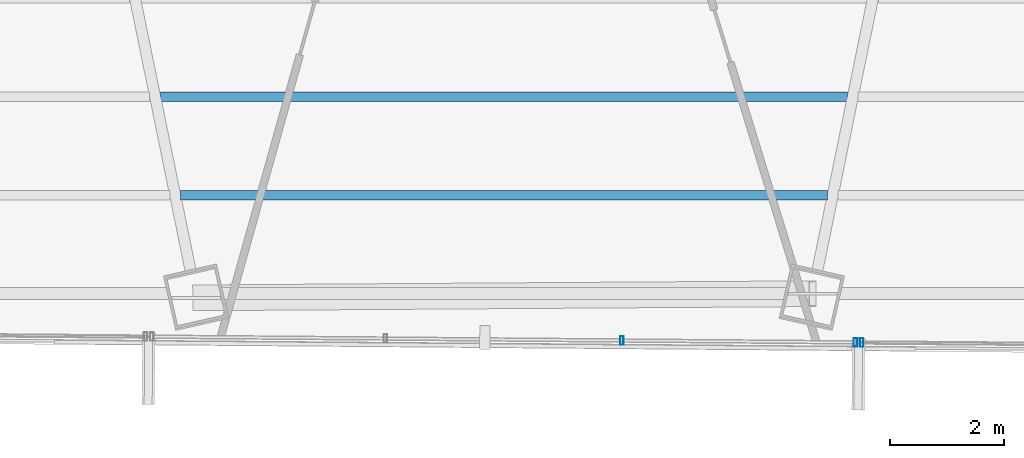
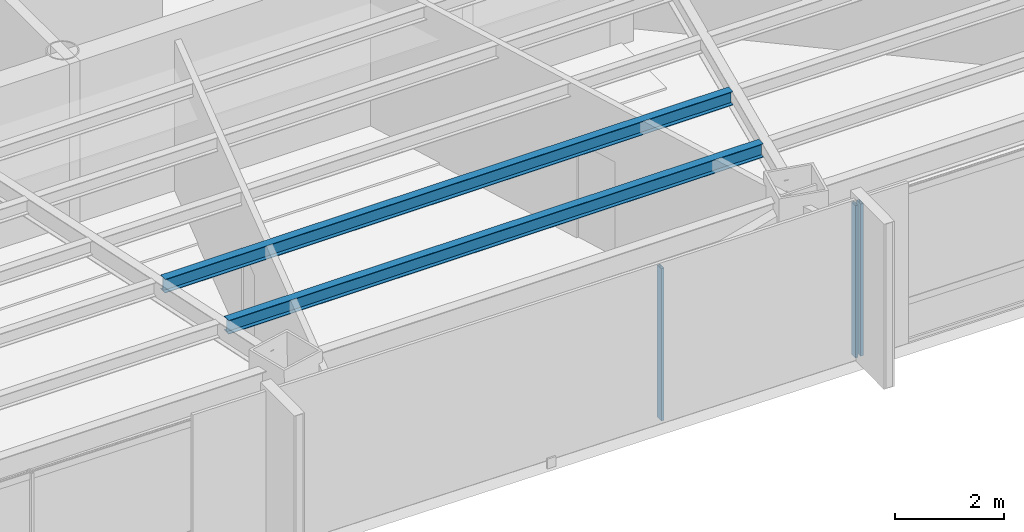
# One storey, part 10 of 39: 3 members, 2 beams, 2 elements without a shape of their own.
"""IFC4 building model written with IfcOpenShell, lengths in metres."""

from ifc_helpers import new_model, si_unit, direction, frame, origin, origin_2d, place, context, subcontext, project, spatial, hollow_rectangle, i_section, extrude, source, transform, mapped, material, material_profile, profile_set, type_object, type_shapes, element, aggregate, save


model = new_model("IFC4")

# Units and contexts
model_context = context("Model", 3, precision=1e-05, world=origin(), true_north=direction((0.0, 1.0)))
body_context = subcontext(model_context, "Body", "Model", "MODEL_VIEW")
ifc_project = project(units=[si_unit("LENGTHUNIT", "METRE"), si_unit("AREAUNIT", "SQUARE_METRE"), si_unit("VOLUMEUNIT", "CUBIC_METRE"), si_unit("PLANEANGLEUNIT", "RADIAN"), si_unit("MASSUNIT", "GRAM", prefix="KILO")], contexts=[model_context])

# Site, building, storey
site_placement = place(None, origin())
site = spatial("IfcSite", under=ifc_project, at=site_placement, CompositionType="ELEMENT")
building_placement = place(site_placement, origin())
building = spatial("IfcBuilding", under=site, at=building_placement, Name="Caelisora Broadcast Tower", CompositionType="ELEMENT")
storey_placement = place(building_placement, frame((0.0, 0.0, 139.10009765625)))
storey = spatial("IfcBuildingStorey", under=building, at=storey_placement, Name="L36", CompositionType="ELEMENT", Elevation=139.10009765625)

# Beams
ifc_material_1 = material(Name="Steel Grade 350 (AS/NZS 3679.1)", Category="steel")
ifc_material_profile_1 = material_profile(ifc_material_1, i_section(OverallWidth=0.166015625, OverallDepth=0.30712890625, WebThickness=0.006591796875, FlangeThickness=0.01171875, at=origin_2d()), Name="Steel Grade 350 (AS/NZS 3679.1)")
ifc_profile_set_1 = profile_set([ifc_material_profile_1], Name="Steel Grade 350 (AS/NZS 3679.1)")
beam_type = type_object("IfcBeamType", Name="SB03", PredefinedType="JOIST", material=ifc_profile_set_1)
shared_shape_1 = source(origin(), body_context, "Body", "SweptSolid", [
    extrude(i_section(OverallWidth=0.166015625, OverallDepth=0.30712890625, WebThickness=0.006591796875, FlangeThickness=0.01171875, at=origin_2d()), origin(), (0.0, 0.0, 1.0), 12.00341796875),
])
beam_1_placement = place(storey_placement, frame((31.998291015625, 10.5205078125, 3.246337890625), z_axis=(1.0, 0.0, 0.0), x_axis=(0.0, 1.0, 0.0)))
element("IfcBeam", 1, at=beam_1_placement, inside=storey, type_object=beam_type, Name="L36 beam SB03", PredefinedType="JOIST", context=body_context, shape_type="MappedRepresentation", body=[
    mapped(shared_shape_1, transform((0.0, 0.0, 0.0), scale=1.0)),
])
shared_shape_2 = source(origin(), body_context, "Body", "SweptSolid", [
    extrude(i_section(OverallWidth=0.166015625, OverallDepth=0.30712890625, WebThickness=0.006591796875, FlangeThickness=0.01171875, at=origin_2d()), origin(), (0.0, 0.0, 1.0), 11.3017578125),
])
type_shapes(beam_type, [shared_shape_1, shared_shape_2])
beam_2_placement = place(storey_placement, frame((32.34912109375, 8.80078125, 3.246337890625), z_axis=(1.0, 0.0, 0.0), x_axis=(0.0, 1.0, 0.0)))
element("IfcBeam", 2, at=beam_2_placement, inside=storey, type_object=beam_type, Name="L36 beam SB03", PredefinedType="JOIST", context=body_context, shape_type="MappedRepresentation", body=[
    mapped(shared_shape_2, transform((0.0, 0.0, 0.0), scale=1.0)),
])

# Curtain wall, member
ifc_material_2 = material(Name="Unitised Aluminium and Low-E Glass Curtain Wall", Category="glass")
curtain_wall_type_1 = type_object("IfcCurtainWallType", Name="CW-Z3", PredefinedType="NOTDEFINED", material=ifc_material_2)
curtain_wall_1_placement = place(storey_placement, origin())
curtain_wall_1 = element("IfcCurtainWall", 3, at=curtain_wall_1_placement, inside=storey, type_object=curtain_wall_type_1, Name="L36 curtain wall CW-Z3", PredefinedType="NOTDEFINED")
ifc_material_3 = material(Name="Aluminium 6063-T6 Anodised Terracotta Bronze", Category="aluminium")
ifc_material_profile_2 = material_profile(ifc_material_3, hollow_rectangle(XDim=0.06005859375, YDim=0.14990234375, WallThickness=0.00341796875, at=origin_2d()), Name="Aluminium 6063-T6 Anodised Terracotta Bronze")
ifc_profile_set_2 = profile_set([ifc_material_profile_2], Name="Aluminium 6063-T6 Anodised Terracotta Bronze")
member_type = type_object("IfcMemberType", Name="CWM-03", PredefinedType="MULLION", material=ifc_profile_set_2)
shared_shape_3 = source(origin(), body_context, "Body", "SweptSolid", [
    extrude(hollow_rectangle(XDim=0.06005859375, YDim=0.14990234375, WallThickness=0.00341796875, at=origin_2d()), origin(), (0.0, 0.0, 1.0), 3.39990234375),
])
type_shapes(member_type, [shared_shape_3])
member_1_placement = place(storey_placement, frame((44.251708984375, 6.229248046875, 0.0), z_axis=(0.0, 0.0, 1.0), x_axis=(1.0, 0.0, 0.0)))
member_1 = element("IfcMember", 4, at=member_1_placement, type_object=member_type, Name="L36-CW-B05 mullion #3", PredefinedType="MULLION", context=body_context, shape_type="MappedRepresentation", body=[
    mapped(shared_shape_3, transform((0.0, 0.0, 0.0), scale=1.0)),
])
aggregate(curtain_wall_1, [member_1])

# Curtain wall, members
ifc_material_4 = material(Name="Unitised Aluminium Insulated Shadow-Box Spandrel Curtain Wall", Category="aluminium")
curtain_wall_type_2 = type_object("IfcCurtainWallType", Name="CW-SP2", PredefinedType="NOTDEFINED", material=ifc_material_4)
curtain_wall_2_placement = place(storey_placement, origin())
curtain_wall_2 = element("IfcCurtainWall", 5, at=curtain_wall_2_placement, inside=storey, type_object=curtain_wall_type_2, Name="L36 curtain wall CW-SP2", PredefinedType="NOTDEFINED")
member_2_placement = place(storey_placement, frame((44.1416015625, 6.22998046875, 0.0), z_axis=(0.0, 0.0, 1.0), x_axis=(1.0, 0.0, 0.0)))
member_2 = element("IfcMember", 6, at=member_2_placement, type_object=member_type, Name="L36-CW-B06 mullion #0", PredefinedType="MULLION", context=body_context, shape_type="MappedRepresentation", body=[
    mapped(shared_shape_3, transform((0.0, 0.0, 0.0), scale=1.0)),
])
member_3_placement = place(storey_placement, frame((40.059814453125, 6.263427734375, 0.0), z_axis=(0.0, 0.0, 1.0), x_axis=(1.0, 0.0, 0.0)))
member_3 = element("IfcMember", 7, at=member_3_placement, type_object=member_type, Name="L36-CW-B06 mullion #1", PredefinedType="MULLION", context=body_context, shape_type="MappedRepresentation", body=[
    mapped(shared_shape_3, transform((0.0, 0.0, 0.0), scale=1.0)),
])
aggregate(curtain_wall_2, [member_2, member_3])

save(model, "model.ifc")
